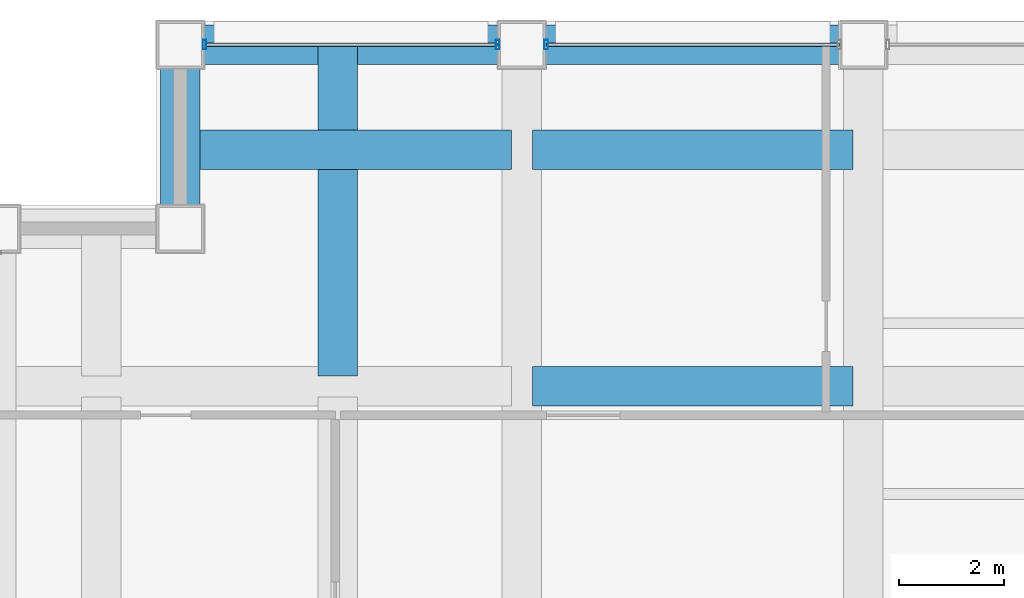
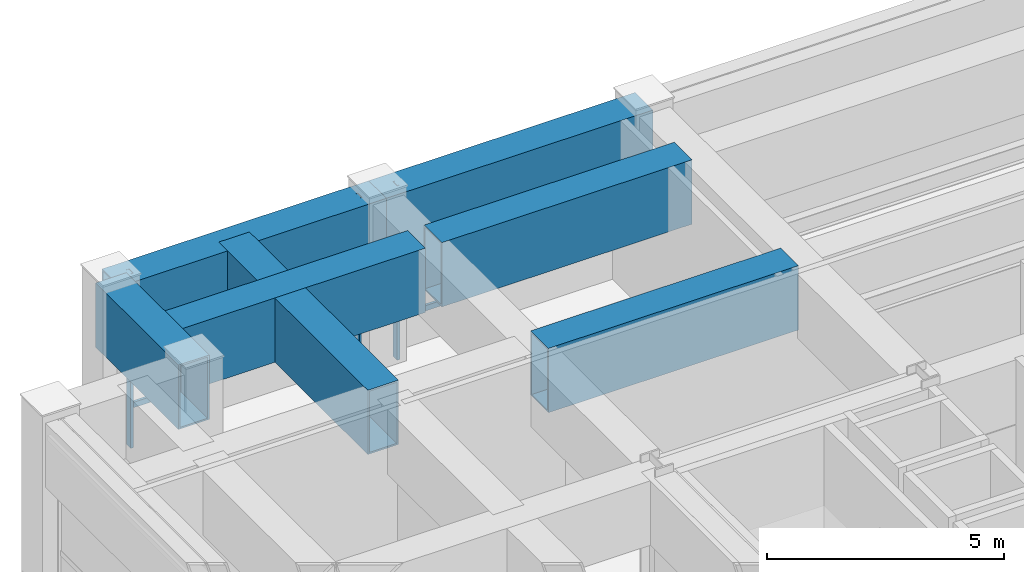
# One storey, part 18 of 29: 7 beams, 5 members, 2 elements without a shape of their own.
"""IFC4 building model written with IfcOpenShell, lengths in metres."""

import ifcopenshell
import ifcopenshell.guid

model = None  # the IFC model being written
_history = None  # IfcOwnerHistory: only IFC2X3 demands one
_inside = {}  # id of a spatial element -> (the spatial element, [elements in it])
_under = {}  # id of a project, library or spatial element -> (it, [spatial elements below it])
_declared = {}  # id of a project -> (the project, [libraries it declares])
_typed = {}  # id of a type object -> (the type object, [elements of that type])
_made_of = {}  # id of a material, layer set ... -> (it, [elements and type objects made of it])


def new_model(schema):
    """Start an empty IFC model of exactly this schema.

    Asked for "IFC4X3", IfcOpenShell would pick the latest addendum, in which some entities
    have other attributes; the version numbers below select the first issue.
    IFC2X3 requires an IfcOwnerHistory on every rooted entity: one is made here for all.
    """
    global model, _history
    if schema == "IFC4X3":
        model = ifcopenshell.file(schema_version=(4, 3, 0, 0))
    else:
        model = ifcopenshell.file(schema=schema)
    _inside.clear()
    _under.clear()
    _declared.clear()
    _typed.clear()
    _made_of.clear()
    _history = None
    if model.schema == "IFC2X3":
        org = make("IfcOrganization", Name="unknown")
        user = make(
            "IfcPersonAndOrganization",
            ThePerson=make("IfcPerson", FamilyName="unknown"),
            TheOrganization=org,
        )
        app = make(
            "IfcApplication",
            ApplicationDeveloper=org,
            Version="unknown",
            ApplicationFullName="unknown",
            ApplicationIdentifier="unknown",
        )
        _history = make(
            "IfcOwnerHistory",
            OwningUser=user,
            OwningApplication=app,
            ChangeAction="ADDED",
            CreationDate=0,
        )
    return model


def make(cls, **values):
    """One entity of the class cls with the attributes given. An attribute that is None is left unset."""
    return model.create_entity(
        cls, **{name: value for name, value in values.items() if value is not None}
    )


def rooted(cls, **values):
    """An entity with a GlobalId (a new one), such as an element, a storey or a relation."""
    return make(cls, GlobalId=ifcopenshell.guid.new(), OwnerHistory=_history, **values)


def si_unit(unit_type, name, prefix=None):
    """IfcSIUnit, for example si_unit("LENGTHUNIT", "METRE", prefix="MILLI")."""
    return make("IfcSIUnit", UnitType=unit_type, Prefix=prefix, Name=name)


def assignment(units):
    """IfcUnitAssignment: the units of a project."""
    return None if units is None else make("IfcUnitAssignment", Units=units)


def point(xyz):
    """IfcCartesianPoint."""
    return None if xyz is None else make("IfcCartesianPoint", Coordinates=xyz)


def direction(xyz):
    """IfcDirection."""
    return None if xyz is None else make("IfcDirection", DirectionRatios=xyz)


def frame(location, z_axis=None, x_axis=None):
    """IfcAxis2Placement3D, a coordinate frame: its origin and axes. An axis left out is left unset."""
    return make(
        "IfcAxis2Placement3D",
        Location=point(location),
        Axis=direction(z_axis),
        RefDirection=direction(x_axis),
    )


def frame_2d(location, x_axis=None):
    """IfcAxis2Placement2D, a coordinate frame in the plane: its origin and x axis."""
    return make(
        "IfcAxis2Placement2D", Location=point(location), RefDirection=direction(x_axis)
    )


def origin():
    """The frame at (0, 0, 0) with its axes left unset."""
    return frame((0.0, 0.0, 0.0))


def origin_2d():
    """The frame at (0, 0) in the plane with its x axis left unset."""
    return frame_2d((0.0, 0.0))


def place(relative_to, where):
    """IfcLocalPlacement: puts the frame where relative to a parent placement (None: the world)."""
    return make(
        "IfcLocalPlacement", PlacementRelTo=relative_to, RelativePlacement=where
    )


def context(
    kind, dimensions, precision=None, world=None, true_north=None, identifier=None
):
    """IfcGeometricRepresentationContext, for example the 3D "Model" context."""
    return make(
        "IfcGeometricRepresentationContext",
        ContextIdentifier=identifier,
        ContextType=kind,
        CoordinateSpaceDimension=dimensions,
        Precision=precision,
        WorldCoordinateSystem=world,
        TrueNorth=true_north,
    )


def subcontext(parent, identifier, kind, view, scale=None):
    """IfcGeometricRepresentationSubContext, for example "Body" below "Model"."""
    return make(
        "IfcGeometricRepresentationSubContext",
        ContextIdentifier=identifier,
        ContextType=kind,
        ParentContext=parent,
        TargetScale=scale,
        TargetView=view,
    )


def project(units=None, contexts=None):
    """IfcProject with its units and contexts."""
    return rooted(
        "IfcProject",
        Name="project",
        RepresentationContexts=contexts,
        UnitsInContext=assignment(units),
    )


def spatial(cls, under=None, at=None, **own):
    """A site, building, storey or space (cls), placed at a placement, below another one or the project."""
    s = rooted(cls, ObjectPlacement=at, **own)
    if under is not None:
        _under.setdefault(under.id(), (under, []))[1].append(s)
    return s


def profile(cls, at=None, kind="AREA", **sizes):
    """A parametric profile (cls). Its sizes go by their IFC names, for example OverallWidth=200.0."""
    return make(cls, ProfileType=kind, Position=at, **sizes)


def hollow_rectangle(**sizes):
    """IfcRectangleHollowProfileDef."""
    return profile("IfcRectangleHollowProfileDef", **sizes)


def extrude(swept, where, along, depth):
    """IfcExtrudedAreaSolid: the profile swept, set in the frame where, extruded along a direction by depth."""
    return make(
        "IfcExtrudedAreaSolid",
        SweptArea=swept,
        Position=where,
        ExtrudedDirection=direction(along),
        Depth=depth,
    )


def shape(context_of_items, identifier, shape_type, items):
    """IfcShapeRepresentation: the items that make up one representation, for example the "Body"."""
    return make(
        "IfcShapeRepresentation",
        ContextOfItems=context_of_items,
        RepresentationIdentifier=identifier,
        RepresentationType=shape_type,
        Items=items,
    )


def material(Name=None, Category=None):
    """IfcMaterial."""
    return make("IfcMaterial", Name=Name, Category=Category)


def layer(
    of_material, thickness, ventilated=None, Name=None, Category=None, Priority=None
):
    """IfcMaterialLayer: one layer of a wall or slab, of a material (None: an air gap)."""
    return make(
        "IfcMaterialLayer",
        Material=of_material,
        LayerThickness=thickness,
        IsVentilated=ventilated,
        Name=Name,
        Category=Category,
        Priority=Priority,
    )


def layer_set(layers, Name=None):
    """IfcMaterialLayerSet."""
    return make("IfcMaterialLayerSet", MaterialLayers=layers, LayerSetName=Name)


def material_profile(
    of_material, cross_section, Name=None, Category=None, Priority=None
):
    """IfcMaterialProfile: a cross section and its material."""
    return make(
        "IfcMaterialProfile",
        Name=Name,
        Material=of_material,
        Profile=cross_section,
        Priority=Priority,
        Category=Category,
    )


def profile_set(profiles, Name=None, composite=None):
    """IfcMaterialProfileSet."""
    return make(
        "IfcMaterialProfileSet",
        Name=Name,
        MaterialProfiles=profiles,
        CompositeProfile=composite,
    )


def made_of(thing, what):
    """Note that an element or type object is made of a material, layer set ...; save() writes the relation."""
    if what is not None:
        _made_of.setdefault(what.id(), (what, []))[1].append(thing)
    return thing


def type_object(cls, material=None, **own):
    """A type object (cls), such as IfcWallType, which elements share."""
    return made_of(rooted(cls, **own), material)


def element(
    cls,
    number,
    at=None,
    inside=None,
    cuts=None,
    type_object=None,
    material=None,
    context=None,
    identifier="Body",
    shape_type=None,
    held_by="IfcProductDefinitionShape",
    body=None,
    shapes=None,
    **own,
):
    """One element of the class cls, such as IfcWall. Its Tag is "e" and its number.

    at: its placement. inside: the storey or other place that contains it. cuts: it is an
    opening in that element (IfcRelVoidsElement). A single representation is given by context,
    identifier, shape_type and body (its items); several are given by shapes. held_by: the class
    of the entity that holds the representations. save() writes the other relations.
    """
    e = rooted(cls, Tag="e%d" % number, ObjectPlacement=at, **own)
    if body is not None:
        shapes = [shape(context, identifier, shape_type, body)]
    if shapes is not None:
        e.Representation = make(held_by, Representations=shapes)
    if inside is not None:
        _inside.setdefault(inside.id(), (inside, []))[1].append(e)
    if cuts is not None:
        rooted(
            "IfcRelVoidsElement", RelatingBuildingElement=cuts, RelatedOpeningElement=e
        )
    if type_object is not None:
        _typed.setdefault(type_object.id(), (type_object, []))[1].append(e)
    return made_of(e, material)


def aggregate(whole, parts):
    """IfcRelAggregates: a whole, such as a stair, and the parts it consists of."""
    return rooted("IfcRelAggregates", RelatingObject=whole, RelatedObjects=parts)


def save(model, path):
    """Write the relations noted so far, then the file.

    IfcRelAggregates (storeys below a building ...), IfcRelContainedInSpatialStructure (elements
    in a storey), IfcRelDefinesByType, IfcRelAssociatesMaterial and IfcRelDeclares: one each for
    every whole, place, type object, material and project.
    """
    for whole, parts in _under.values():
        aggregate(whole, parts)
    for where, things in _inside.values():
        rooted(
            "IfcRelContainedInSpatialStructure",
            RelatedElements=things,
            RelatingStructure=where,
        )
    for kind, things in _typed.values():
        rooted("IfcRelDefinesByType", RelatedObjects=things, RelatingType=kind)
    for what, things in _made_of.values():
        rooted("IfcRelAssociatesMaterial", RelatedObjects=things, RelatingMaterial=what)
    for by, libraries in _declared.values():
        rooted("IfcRelDeclares", RelatingContext=by, RelatedDefinitions=libraries)
    model.write(path)


model = new_model("IFC4")

# Units and contexts
model_context = context("Model", 3, precision=1e-05, world=origin(), true_north=direction((0.0, 1.0)))
body_context = subcontext(model_context, "Body", "Model", "MODEL_VIEW")
ifc_project = project(units=[si_unit("LENGTHUNIT", "METRE"), si_unit("AREAUNIT", "SQUARE_METRE"), si_unit("VOLUMEUNIT", "CUBIC_METRE"), si_unit("PLANEANGLEUNIT", "RADIAN"), si_unit("MASSUNIT", "GRAM", prefix="KILO")], contexts=[model_context])

# Site, building, storey
site_placement = place(None, origin())
site = spatial("IfcSite", under=ifc_project, at=site_placement, CompositionType="ELEMENT")
building_placement = place(site_placement, origin())
building = spatial("IfcBuilding", under=site, at=building_placement, Name="Brelmoor Portico Tower", CompositionType="ELEMENT")
storey_placement = place(building_placement, frame((0.0, 0.0, 82.800048828125)))
storey = spatial("IfcBuildingStorey", under=building, at=storey_placement, Name="L21", CompositionType="ELEMENT", Elevation=82.800048828125)

# Beams
ifc_material_1 = material(Name="Steel Q355B", Category="steel")
ifc_material_profile_1 = material_profile(ifc_material_1, hollow_rectangle(XDim=0.75, YDim=1.659912109375, WallThickness=0.0419921875, at=origin_2d()), Name="BOX 750x1660x42")
ifc_profile_set_1 = profile_set([ifc_material_profile_1], Name="Steel Q355B")
beam_type = type_object("IfcBeamType", Name="BM-TG-Z2", PredefinedType="BEAM", material=ifc_profile_set_1)
for number, where, z_axis, x_axis, name in (
    (1, (-21.050048828125, 21.550048828125, 3.469970703125), (1.0, 0.0, 0.0), (0.0, 1.0, 0.0), "L21 Perimeter Transfer Beam SP-10"),
    (2, (-14.550048828125, 21.550048828125, 3.469970703125), (1.0, 0.0, 0.0), (0.0, 1.0, 0.0), "L21 Perimeter Transfer Beam SP-11"),
):
    element("IfcBeam", number, at=place(storey_placement, frame(where, z_axis=z_axis, x_axis=x_axis)), inside=storey, type_object=beam_type, Name=name, PredefinedType="BEAM", context=body_context, shape_type="SweptSolid", body=[
        extrude(hollow_rectangle(XDim=0.75, YDim=1.659912109375, WallThickness=0.0419921875, at=origin_2d()), origin(), (0.0, 0.0, 1.0), 6.5),
    ])
beam_1_placement = place(storey_placement, frame((-21.050048828125, 18.050048828125, 3.469970703125), z_axis=(0.0, 1.0, 0.0), x_axis=(-1.0, 0.0, 0.0)))
element("IfcBeam", 3, at=beam_1_placement, inside=storey, type_object=beam_type, Name="L21 Perimeter Transfer Beam SP-19", PredefinedType="BEAM", context=body_context, shape_type="SweptSolid", body=[
    extrude(hollow_rectangle(XDim=0.75, YDim=1.659912109375, WallThickness=0.0419921875, at=origin_2d()), origin(), (0.0, 0.0, 1.0), 3.5),
])
beam_2_placement = place(storey_placement, frame((-21.050048828125, 19.550048828125, 3.469970703125), z_axis=(1.0, 0.0, 0.0), x_axis=(0.0, 1.0, 0.0)))
element("IfcBeam", 4, at=beam_2_placement, inside=storey, type_object=beam_type, Name="L21 Setback Transfer Girder TGN-06", PredefinedType="BEAM", context=body_context, shape_type="SweptSolid", body=[
    extrude(hollow_rectangle(XDim=0.75, YDim=1.659912109375, WallThickness=0.0419921875, at=origin_2d()), origin(), (0.0, 0.0, 1.0), 6.300048828125),
])
for number, where, z_axis, x_axis, name in (
    (5, (-14.35009765625, 19.550048828125, 3.469970703125), (1.0, 0.0, 0.0), (0.0, 1.0, 0.0), "L21 Setback Transfer Girder TGN-07"),
    (6, (-14.35009765625, 15.050048828125, 3.469970703125), (1.0, 0.0, 0.0), (0.0, 1.0, 0.0), "L21 Setback Transfer Girder TGN-17"),
):
    element("IfcBeam", number, at=place(storey_placement, frame(where, z_axis=z_axis, x_axis=x_axis)), inside=storey, type_object=beam_type, Name=name, PredefinedType="BEAM", context=body_context, shape_type="SweptSolid", body=[
        extrude(hollow_rectangle(XDim=0.75, YDim=1.659912109375, WallThickness=0.0419921875, at=origin_2d()), origin(), (0.0, 0.0, 1.0), 6.10009765625),
    ])
beam_3_placement = place(storey_placement, frame((-18.050048828125, 15.25, 3.469970703125), z_axis=(0.0, 1.0, 0.0), x_axis=(-1.0, 0.0, 0.0)))
element("IfcBeam", 7, at=beam_3_placement, inside=storey, type_object=beam_type, Name="L21 Setback Transfer Girder TGN-25", PredefinedType="BEAM", context=body_context, shape_type="SweptSolid", body=[
    extrude(hollow_rectangle(XDim=0.75, YDim=1.659912109375, WallThickness=0.0419921875, at=origin_2d()), origin(), (0.0, 0.0, 1.0), 6.300048828125),
])

# Curtain wall, members
ifc_material_2 = material(Name="Anodised Aluminium Alloy 6063-T6", Category="aluminium")
ifc_layer = layer(ifc_material_2, 0.179931640625)
ifc_layer_set = layer_set([ifc_layer], Name="Anodised Aluminium Alloy 6063-T6")
curtain_wall_type = type_object("IfcCurtainWallType", Name="CW-TOWER-Z1", PredefinedType="NOTDEFINED", material=ifc_layer_set)
curtain_wall_1_placement = place(storey_placement, origin())
curtain_wall_1 = element("IfcCurtainWall", 8, at=curtain_wall_1_placement, inside=storey, type_object=curtain_wall_type, Name="L21 Curtain Wall CW-L21-02-1", PredefinedType="NOTDEFINED")
ifc_material_profile_2 = material_profile(ifc_material_2, hollow_rectangle(XDim=0.06494140625, YDim=0.179931640625, WallThickness=0.00390625, at=origin_2d()), Name="ALU MULLION 65x180")
ifc_profile_set_2 = profile_set([ifc_material_profile_2], Name="Anodised Aluminium Alloy 6063-T6")
member_type_1 = type_object("IfcMemberType", Name="MB-CW-MULL-180", PredefinedType="MULLION", material=ifc_profile_set_2)
member_1_placement = place(storey_placement, frame((-20.590087890625, 21.550048828125, -0.199951171875), z_axis=(0.0, 0.0, 1.0), x_axis=(1.0, 0.0, 0.0)))
member_1 = element("IfcMember", 9, at=member_1_placement, type_object=member_type_1, Name="CW-L21-02-1 Mullion 00", PredefinedType="MULLION", context=body_context, shape_type="SweptSolid", body=[
    extrude(hollow_rectangle(XDim=0.06494140625, YDim=0.179931640625, WallThickness=0.00390625, at=origin_2d()), origin(), (0.0, 0.0, 1.0), 4.5),
])
member_2_placement = place(storey_placement, frame((-15.010009765625, 21.550048828125, -0.199951171875), z_axis=(0.0, 0.0, 1.0), x_axis=(1.0, 0.0, 0.0)))
member_2 = element("IfcMember", 10, at=member_2_placement, type_object=member_type_1, Name="CW-L21-02-1 Mullion 01", PredefinedType="MULLION", context=body_context, shape_type="SweptSolid", body=[
    extrude(hollow_rectangle(XDim=0.06494140625, YDim=0.179931640625, WallThickness=0.00390625, at=origin_2d()), origin(), (0.0, 0.0, 1.0), 4.5),
])

# Curtain wall, member
curtain_wall_2_placement = place(storey_placement, origin())
curtain_wall_2 = element("IfcCurtainWall", 11, at=curtain_wall_2_placement, inside=storey, type_object=curtain_wall_type, Name="L21 Curtain Wall CW-L21-02-2", PredefinedType="NOTDEFINED")
member_3_placement = place(storey_placement, frame((-14.090087890625, 21.550048828125, -0.199951171875), z_axis=(0.0, 0.0, 1.0), x_axis=(1.0, 0.0, 0.0)))
member_3 = element("IfcMember", 12, at=member_3_placement, type_object=member_type_1, Name="CW-L21-02-2 Mullion 00", PredefinedType="MULLION", context=body_context, shape_type="SweptSolid", body=[
    extrude(hollow_rectangle(XDim=0.06494140625, YDim=0.179931640625, WallThickness=0.00390625, at=origin_2d()), origin(), (0.0, 0.0, 1.0), 4.5),
])

# Member
ifc_material_profile_3 = material_profile(ifc_material_2, hollow_rectangle(XDim=0.06494140625, YDim=0.139892578125, WallThickness=0.00390625, at=origin_2d()), Name="ALU TRANSOM 65x140")
ifc_profile_set_3 = profile_set([ifc_material_profile_3], Name="Anodised Aluminium Alloy 6063-T6")
member_type_2 = type_object("IfcMemberType", Name="MB-CW-TRAN-140", PredefinedType="USERDEFINED", material=ifc_profile_set_3)
member_4_placement = place(storey_placement, frame((-20.590087890625, 21.550048828125, 0.849853515625), z_axis=(1.0, 0.0, 0.0), x_axis=(0.0, 1.0, 0.0)))
member_4 = element("IfcMember", 13, at=member_4_placement, type_object=member_type_2, Name="CW-L21-02-1 Transom 1-00", ObjectType="TRANSOM", PredefinedType="USERDEFINED", context=body_context, shape_type="SweptSolid", body=[
    extrude(hollow_rectangle(XDim=0.06494140625, YDim=0.139892578125, WallThickness=0.00390625, at=origin_2d()), origin(), (0.0, 0.0, 1.0), 5.580078125),
])

aggregate(curtain_wall_1, [member_1, member_2, member_4])

member_5_placement = place(storey_placement, frame((-14.090087890625, 21.550048828125, 0.849853515625), z_axis=(1.0, 0.0, 0.0), x_axis=(0.0, 1.0, 0.0)))
member_5 = element("IfcMember", 14, at=member_5_placement, type_object=member_type_2, Name="CW-L21-02-2 Transom 1-00", ObjectType="TRANSOM", PredefinedType="USERDEFINED", context=body_context, shape_type="SweptSolid", body=[
    extrude(hollow_rectangle(XDim=0.06494140625, YDim=0.139892578125, WallThickness=0.00390625, at=origin_2d()), origin(), (0.0, 0.0, 1.0), 5.580078125),
])

aggregate(curtain_wall_2, [member_3, member_5])

save(model, "model.ifc")
